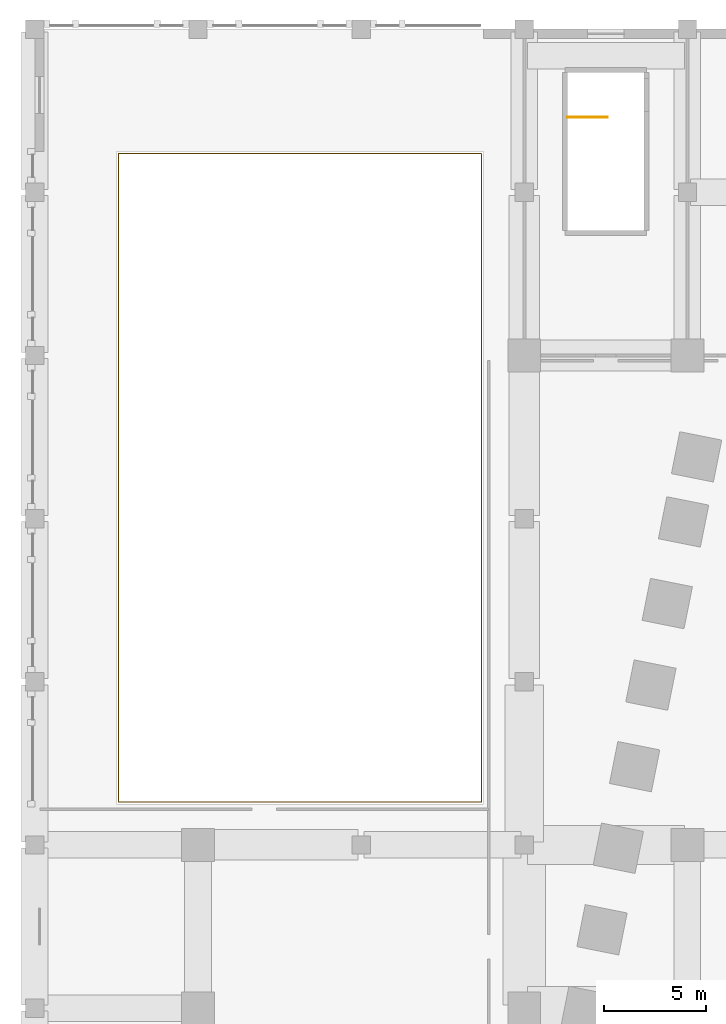
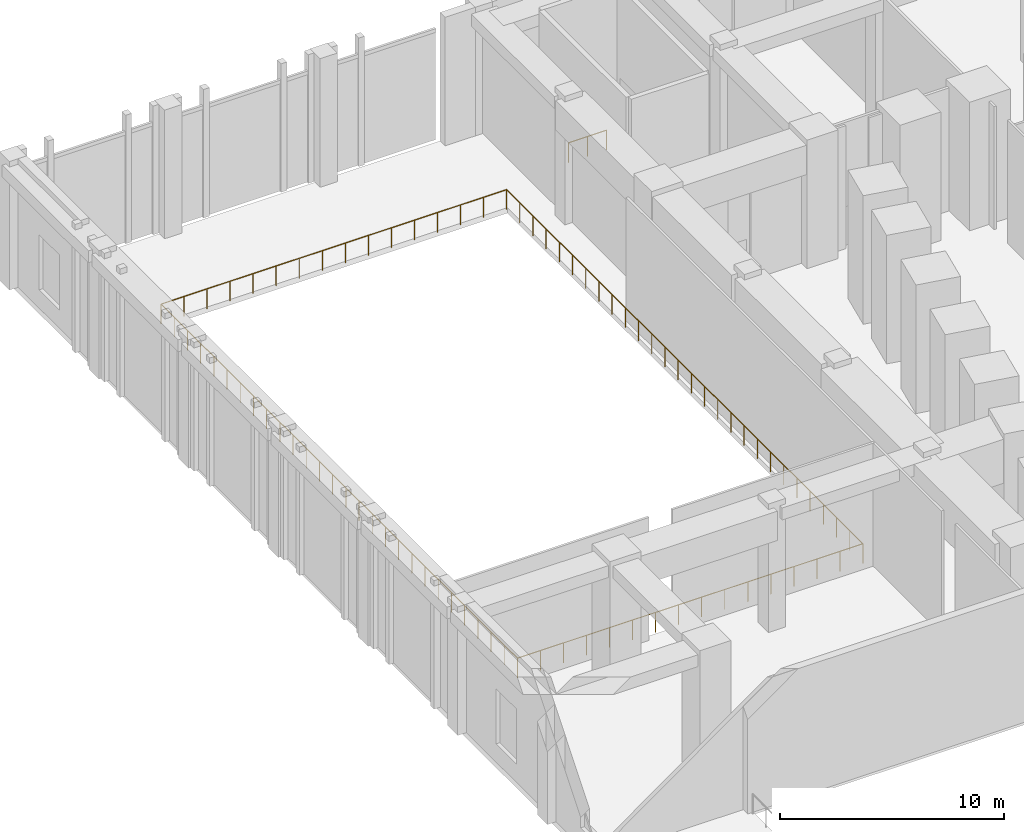
# One storey, part 16 of 18: 2 railings.
"""IFC4 building model written with IfcOpenShell, lengths in metres."""

from ifc_helpers import new_model, si_unit, direction, frame, origin, origin_2d, place, context, subcontext, project, spatial, circle, extrude, material, type_object, element, save


model = new_model("IFC4")

# Units and contexts
model_context = context("Model", 3, precision=1e-05, world=origin(), true_north=direction((0.0, 1.0)))
body_context = subcontext(model_context, "Body", "Model", "MODEL_VIEW")
ifc_project = project(units=[si_unit("LENGTHUNIT", "METRE"), si_unit("AREAUNIT", "SQUARE_METRE"), si_unit("VOLUMEUNIT", "CUBIC_METRE"), si_unit("PLANEANGLEUNIT", "RADIAN"), si_unit("MASSUNIT", "GRAM", prefix="KILO")], contexts=[model_context])

# Site, building, storey
site_placement = place(None, origin())
site = spatial("IfcSite", under=ifc_project, at=site_placement, CompositionType="ELEMENT")
building_placement = place(site_placement, origin())
building = spatial("IfcBuilding", under=site, at=building_placement, Name="Isbrekke Arena Tower", CompositionType="ELEMENT")
storey_placement = place(building_placement, frame((0.0, 0.0, 12.0)))
storey = spatial("IfcBuildingStorey", under=building, at=storey_placement, Name="L02", CompositionType="ELEMENT", Elevation=12.0)

# Railings
ifc_material_1 = material(Name="Laminated glass balustrade, steel handrail", Category="steel")
railing_type_1 = type_object("IfcRailingType", Name="GR1 GUARD 1100 GLASS BALUSTRADE", PredefinedType="BALUSTRADE", material=ifc_material_1)
railing_1_placement = place(storey_placement, frame((-51.89990234375, 8.10009765625, 0.0)))
element("IfcRailing", 1, at=railing_1_placement, inside=storey, type_object=railing_type_1, Name="GR1 atrium guard L02", PredefinedType="BALUSTRADE", context=body_context, shape_type="SweptSolid", body=[
    extrude(circle(Radius=0.02392578125, at=origin_2d()), frame((0.0, 0.0, 1.076171875), z_axis=(1.0, 0.0, 0.0), x_axis=(0.0, 1.0, 0.0)), (0.0, 0.0, 1.0), 17.7998046875),
    extrude(circle(Radius=0.02392578125, at=origin_2d()), frame((17.7998046875, 0.0, 1.076171875), z_axis=(0.0, 1.0, 0.0), x_axis=(-1.0, 0.0, 0.0)), (0.0, 0.0, 1.0), 31.7998046875),
    extrude(circle(Radius=0.02392578125, at=origin_2d()), frame((17.7998046875, 31.7998046875, 1.076171875), z_axis=(-1.0, 0.0, 0.0), x_axis=(0.0, -1.0, 0.0)), (0.0, 0.0, 1.0), 17.7998046875),
    extrude(circle(Radius=0.02392578125, at=origin_2d()), frame((0.0, 31.7998046875, 1.076171875), z_axis=(0.0, -1.0, 0.0), x_axis=(1.0, 0.0, 0.0)), (0.0, 0.0, 1.0), 31.7998046875),
    extrude(circle(Radius=0.02099609375, at=origin_2d()), origin(), (0.0, 0.0, 1.0), 1.052001953125),
    extrude(circle(Radius=0.02099609375, at=origin_2d()), frame((1.186767578125, 0.0, 0.0)), (0.0, 0.0, 1.0), 1.052001953125),
    extrude(circle(Radius=0.02099609375, at=origin_2d()), frame((2.373291015625, 0.0, 0.0)), (0.0, 0.0, 1.0), 1.052001953125),
    extrude(circle(Radius=0.02099609375, at=origin_2d()), frame((3.56005859375, 0.0, 0.0)), (0.0, 0.0, 1.0), 1.052001953125),
    extrude(circle(Radius=0.02099609375, at=origin_2d()), frame((4.74658203125, 0.0, 0.0)), (0.0, 0.0, 1.0), 1.052001953125),
    extrude(circle(Radius=0.02099609375, at=origin_2d()), frame((5.933349609375, 0.0, 0.0)), (0.0, 0.0, 1.0), 1.052001953125),
    extrude(circle(Radius=0.02099609375, at=origin_2d()), frame((7.119873046875, 0.0, 0.0)), (0.0, 0.0, 1.0), 1.052001953125),
    extrude(circle(Radius=0.02099609375, at=origin_2d()), frame((8.306640625, 0.0, 0.0)), (0.0, 0.0, 1.0), 1.052001953125),
    extrude(circle(Radius=0.02099609375, at=origin_2d()), frame((9.4931640625, 0.0, 0.0)), (0.0, 0.0, 1.0), 1.052001953125),
    extrude(circle(Radius=0.02099609375, at=origin_2d()), frame((10.679931640625, 0.0, 0.0)), (0.0, 0.0, 1.0), 1.052001953125),
    extrude(circle(Radius=0.02099609375, at=origin_2d()), frame((11.866455078125, 0.0, 0.0)), (0.0, 0.0, 1.0), 1.052001953125),
    extrude(circle(Radius=0.02099609375, at=origin_2d()), frame((13.05322265625, 0.0, 0.0)), (0.0, 0.0, 1.0), 1.052001953125),
    extrude(circle(Radius=0.02099609375, at=origin_2d()), frame((14.23974609375, 0.0, 0.0)), (0.0, 0.0, 1.0), 1.052001953125),
    extrude(circle(Radius=0.02099609375, at=origin_2d()), frame((15.426513671875, 0.0, 0.0)), (0.0, 0.0, 1.0), 1.052001953125),
    extrude(circle(Radius=0.02099609375, at=origin_2d()), frame((16.613037109375, 0.0, 0.0)), (0.0, 0.0, 1.0), 1.052001953125),
    extrude(circle(Radius=0.02099609375, at=origin_2d()), frame((17.7998046875, 0.0, 0.0)), (0.0, 0.0, 1.0), 1.052001953125),
    extrude(circle(Radius=0.02099609375, at=origin_2d()), frame((17.7998046875, 1.177734375, 0.0)), (0.0, 0.0, 1.0), 1.052001953125),
    extrude(circle(Radius=0.02099609375, at=origin_2d()), frame((17.7998046875, 2.35546875, 0.0)), (0.0, 0.0, 1.0), 1.052001953125),
    extrude(circle(Radius=0.02099609375, at=origin_2d()), frame((17.7998046875, 3.533203125, 0.0)), (0.0, 0.0, 1.0), 1.052001953125),
    extrude(circle(Radius=0.02099609375, at=origin_2d()), frame((17.7998046875, 4.711181640625, 0.0)), (0.0, 0.0, 1.0), 1.052001953125),
    extrude(circle(Radius=0.02099609375, at=origin_2d()), frame((17.7998046875, 5.888916015625, 0.0)), (0.0, 0.0, 1.0), 1.052001953125),
    extrude(circle(Radius=0.02099609375, at=origin_2d()), frame((17.7998046875, 7.066650390625, 0.0)), (0.0, 0.0, 1.0), 1.052001953125),
    extrude(circle(Radius=0.02099609375, at=origin_2d()), frame((17.7998046875, 8.244384765625, 0.0)), (0.0, 0.0, 1.0), 1.052001953125),
    extrude(circle(Radius=0.02099609375, at=origin_2d()), frame((17.7998046875, 9.422119140625, 0.0)), (0.0, 0.0, 1.0), 1.052001953125),
    extrude(circle(Radius=0.02099609375, at=origin_2d()), frame((17.7998046875, 10.599853515625, 0.0)), (0.0, 0.0, 1.0), 1.052001953125),
    extrude(circle(Radius=0.02099609375, at=origin_2d()), frame((17.7998046875, 11.777587890625, 0.0)), (0.0, 0.0, 1.0), 1.052001953125),
    extrude(circle(Radius=0.02099609375, at=origin_2d()), frame((17.7998046875, 12.95556640625, 0.0)), (0.0, 0.0, 1.0), 1.052001953125),
    extrude(circle(Radius=0.02099609375, at=origin_2d()), frame((17.7998046875, 14.13330078125, 0.0)), (0.0, 0.0, 1.0), 1.052001953125),
    extrude(circle(Radius=0.02099609375, at=origin_2d()), frame((17.7998046875, 15.31103515625, 0.0)), (0.0, 0.0, 1.0), 1.052001953125),
    extrude(circle(Radius=0.02099609375, at=origin_2d()), frame((17.7998046875, 16.48876953125, 0.0)), (0.0, 0.0, 1.0), 1.052001953125),
    extrude(circle(Radius=0.02099609375, at=origin_2d()), frame((17.7998046875, 17.66650390625, 0.0)), (0.0, 0.0, 1.0), 1.052001953125),
    extrude(circle(Radius=0.02099609375, at=origin_2d()), frame((17.7998046875, 18.84423828125, 0.0)), (0.0, 0.0, 1.0), 1.052001953125),
    extrude(circle(Radius=0.02099609375, at=origin_2d()), frame((17.7998046875, 20.022216796875, 0.0)), (0.0, 0.0, 1.0), 1.052001953125),
    extrude(circle(Radius=0.02099609375, at=origin_2d()), frame((17.7998046875, 21.199951171875, 0.0)), (0.0, 0.0, 1.0), 1.052001953125),
    extrude(circle(Radius=0.02099609375, at=origin_2d()), frame((17.7998046875, 22.377685546875, 0.0)), (0.0, 0.0, 1.0), 1.052001953125),
    extrude(circle(Radius=0.02099609375, at=origin_2d()), frame((17.7998046875, 23.555419921875, 0.0)), (0.0, 0.0, 1.0), 1.052001953125),
    extrude(circle(Radius=0.02099609375, at=origin_2d()), frame((17.7998046875, 24.733154296875, 0.0)), (0.0, 0.0, 1.0), 1.052001953125),
    extrude(circle(Radius=0.02099609375, at=origin_2d()), frame((17.7998046875, 25.910888671875, 0.0)), (0.0, 0.0, 1.0), 1.052001953125),
    extrude(circle(Radius=0.02099609375, at=origin_2d()), frame((17.7998046875, 27.088623046875, 0.0)), (0.0, 0.0, 1.0), 1.052001953125),
    extrude(circle(Radius=0.02099609375, at=origin_2d()), frame((17.7998046875, 28.2666015625, 0.0)), (0.0, 0.0, 1.0), 1.052001953125),
    extrude(circle(Radius=0.02099609375, at=origin_2d()), frame((17.7998046875, 29.4443359375, 0.0)), (0.0, 0.0, 1.0), 1.052001953125),
    extrude(circle(Radius=0.02099609375, at=origin_2d()), frame((17.7998046875, 30.6220703125, 0.0)), (0.0, 0.0, 1.0), 1.052001953125),
    extrude(circle(Radius=0.02099609375, at=origin_2d()), frame((17.7998046875, 31.7998046875, 0.0)), (0.0, 0.0, 1.0), 1.052001953125),
    extrude(circle(Radius=0.02099609375, at=origin_2d()), frame((16.613037109375, 31.7998046875, 0.0)), (0.0, 0.0, 1.0), 1.052001953125),
    extrude(circle(Radius=0.02099609375, at=origin_2d()), frame((15.426513671875, 31.7998046875, 0.0)), (0.0, 0.0, 1.0), 1.052001953125),
    extrude(circle(Radius=0.02099609375, at=origin_2d()), frame((14.23974609375, 31.7998046875, 0.0)), (0.0, 0.0, 1.0), 1.052001953125),
    extrude(circle(Radius=0.02099609375, at=origin_2d()), frame((13.05322265625, 31.7998046875, 0.0)), (0.0, 0.0, 1.0), 1.052001953125),
    extrude(circle(Radius=0.02099609375, at=origin_2d()), frame((11.866455078125, 31.7998046875, 0.0)), (0.0, 0.0, 1.0), 1.052001953125),
    extrude(circle(Radius=0.02099609375, at=origin_2d()), frame((10.679931640625, 31.7998046875, 0.0)), (0.0, 0.0, 1.0), 1.052001953125),
    extrude(circle(Radius=0.02099609375, at=origin_2d()), frame((9.4931640625, 31.7998046875, 0.0)), (0.0, 0.0, 1.0), 1.052001953125),
    extrude(circle(Radius=0.02099609375, at=origin_2d()), frame((8.306640625, 31.7998046875, 0.0)), (0.0, 0.0, 1.0), 1.052001953125),
    extrude(circle(Radius=0.02099609375, at=origin_2d()), frame((7.119873046875, 31.7998046875, 0.0)), (0.0, 0.0, 1.0), 1.052001953125),
    extrude(circle(Radius=0.02099609375, at=origin_2d()), frame((5.933349609375, 31.7998046875, 0.0)), (0.0, 0.0, 1.0), 1.052001953125),
    extrude(circle(Radius=0.02099609375, at=origin_2d()), frame((4.74658203125, 31.7998046875, 0.0)), (0.0, 0.0, 1.0), 1.052001953125),
    extrude(circle(Radius=0.02099609375, at=origin_2d()), frame((3.56005859375, 31.7998046875, 0.0)), (0.0, 0.0, 1.0), 1.052001953125),
    extrude(circle(Radius=0.02099609375, at=origin_2d()), frame((2.373291015625, 31.7998046875, 0.0)), (0.0, 0.0, 1.0), 1.052001953125),
    extrude(circle(Radius=0.02099609375, at=origin_2d()), frame((1.186767578125, 31.7998046875, 0.0)), (0.0, 0.0, 1.0), 1.052001953125),
    extrude(circle(Radius=0.02099609375, at=origin_2d()), frame((0.0, 31.7998046875, 0.0)), (0.0, 0.0, 1.0), 1.052001953125),
    extrude(circle(Radius=0.02099609375, at=origin_2d()), frame((0.0, 30.6220703125, 0.0)), (0.0, 0.0, 1.0), 1.052001953125),
    extrude(circle(Radius=0.02099609375, at=origin_2d()), frame((0.0, 29.4443359375, 0.0)), (0.0, 0.0, 1.0), 1.052001953125),
    extrude(circle(Radius=0.02099609375, at=origin_2d()), frame((0.0, 28.2666015625, 0.0)), (0.0, 0.0, 1.0), 1.052001953125),
    extrude(circle(Radius=0.02099609375, at=origin_2d()), frame((0.0, 27.088623046875, 0.0)), (0.0, 0.0, 1.0), 1.052001953125),
    extrude(circle(Radius=0.02099609375, at=origin_2d()), frame((0.0, 25.910888671875, 0.0)), (0.0, 0.0, 1.0), 1.052001953125),
    extrude(circle(Radius=0.02099609375, at=origin_2d()), frame((0.0, 24.733154296875, 0.0)), (0.0, 0.0, 1.0), 1.052001953125),
    extrude(circle(Radius=0.02099609375, at=origin_2d()), frame((0.0, 23.555419921875, 0.0)), (0.0, 0.0, 1.0), 1.052001953125),
    extrude(circle(Radius=0.02099609375, at=origin_2d()), frame((0.0, 22.377685546875, 0.0)), (0.0, 0.0, 1.0), 1.052001953125),
    extrude(circle(Radius=0.02099609375, at=origin_2d()), frame((0.0, 21.199951171875, 0.0)), (0.0, 0.0, 1.0), 1.052001953125),
    extrude(circle(Radius=0.02099609375, at=origin_2d()), frame((0.0, 20.022216796875, 0.0)), (0.0, 0.0, 1.0), 1.052001953125),
    extrude(circle(Radius=0.02099609375, at=origin_2d()), frame((0.0, 18.84423828125, 0.0)), (0.0, 0.0, 1.0), 1.052001953125),
    extrude(circle(Radius=0.02099609375, at=origin_2d()), frame((0.0, 17.66650390625, 0.0)), (0.0, 0.0, 1.0), 1.052001953125),
    extrude(circle(Radius=0.02099609375, at=origin_2d()), frame((0.0, 16.48876953125, 0.0)), (0.0, 0.0, 1.0), 1.052001953125),
    extrude(circle(Radius=0.02099609375, at=origin_2d()), frame((0.0, 15.31103515625, 0.0)), (0.0, 0.0, 1.0), 1.052001953125),
    extrude(circle(Radius=0.02099609375, at=origin_2d()), frame((0.0, 14.13330078125, 0.0)), (0.0, 0.0, 1.0), 1.052001953125),
    extrude(circle(Radius=0.02099609375, at=origin_2d()), frame((0.0, 12.95556640625, 0.0)), (0.0, 0.0, 1.0), 1.052001953125),
    extrude(circle(Radius=0.02099609375, at=origin_2d()), frame((0.0, 11.777587890625, 0.0)), (0.0, 0.0, 1.0), 1.052001953125),
    extrude(circle(Radius=0.02099609375, at=origin_2d()), frame((0.0, 10.599853515625, 0.0)), (0.0, 0.0, 1.0), 1.052001953125),
    extrude(circle(Radius=0.02099609375, at=origin_2d()), frame((0.0, 9.422119140625, 0.0)), (0.0, 0.0, 1.0), 1.052001953125),
    extrude(circle(Radius=0.02099609375, at=origin_2d()), frame((0.0, 8.244384765625, 0.0)), (0.0, 0.0, 1.0), 1.052001953125),
    extrude(circle(Radius=0.02099609375, at=origin_2d()), frame((0.0, 7.066650390625, 0.0)), (0.0, 0.0, 1.0), 1.052001953125),
    extrude(circle(Radius=0.02099609375, at=origin_2d()), frame((0.0, 5.888916015625, 0.0)), (0.0, 0.0, 1.0), 1.052001953125),
    extrude(circle(Radius=0.02099609375, at=origin_2d()), frame((0.0, 4.711181640625, 0.0)), (0.0, 0.0, 1.0), 1.052001953125),
    extrude(circle(Radius=0.02099609375, at=origin_2d()), frame((0.0, 3.533203125, 0.0)), (0.0, 0.0, 1.0), 1.052001953125),
    extrude(circle(Radius=0.02099609375, at=origin_2d()), frame((0.0, 2.35546875, 0.0)), (0.0, 0.0, 1.0), 1.052001953125),
    extrude(circle(Radius=0.02099609375, at=origin_2d()), frame((0.0, 1.177734375, 0.0)), (0.0, 0.0, 1.0), 1.052001953125),
])
ifc_material_2 = material(Name="Steel stair guard, vertical bars, steel handrail", Category="steel")
railing_type_2 = type_object("IfcRailingType", Name="GR3 STAIR WELL GUARD 1100", PredefinedType="GUARDRAIL", material=ifc_material_2)
railing_2_placement = place(storey_placement, frame((-29.875, 41.675048828125, 0.0)))
element("IfcRailing", 2, at=railing_2_placement, inside=storey, type_object=railing_type_2, Name="GR3 stair well guard P2 L02", PredefinedType="GUARDRAIL", context=body_context, shape_type="SweptSolid", body=[
    extrude(circle(Radius=0.02392578125, at=origin_2d()), frame((0.0, 0.0, 1.076171875), z_axis=(1.0, 0.0, 0.0), x_axis=(0.0, 1.0, 0.0)), (0.0, 0.0, 1.0), 1.949951171875),
    extrude(circle(Radius=0.02099609375, at=origin_2d()), origin(), (0.0, 0.0, 1.0), 1.052001953125),
    extrude(circle(Radius=0.02099609375, at=origin_2d()), frame((0.97509765625, 0.0, 0.0)), (0.0, 0.0, 1.0), 1.052001953125),
    extrude(circle(Radius=0.02099609375, at=origin_2d()), frame((1.949951171875, 0.0, 0.0)), (0.0, 0.0, 1.0), 1.052001953125),
])

save(model, "model.ifc")
